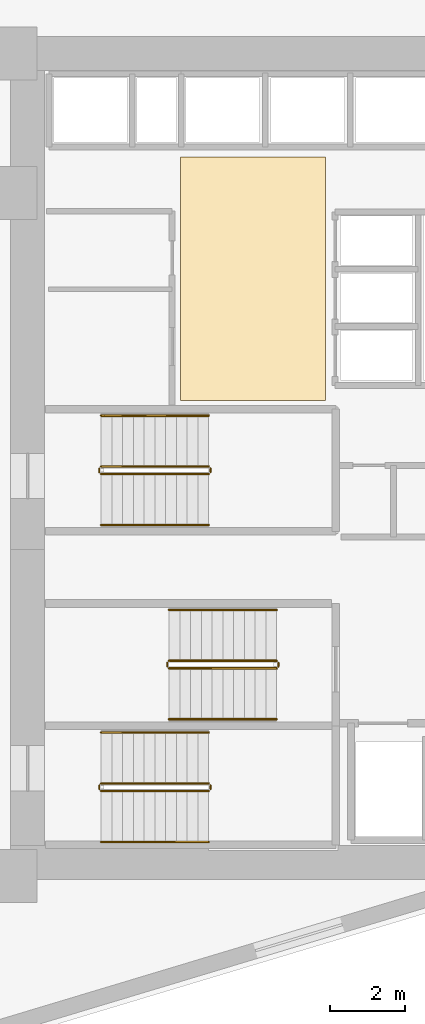
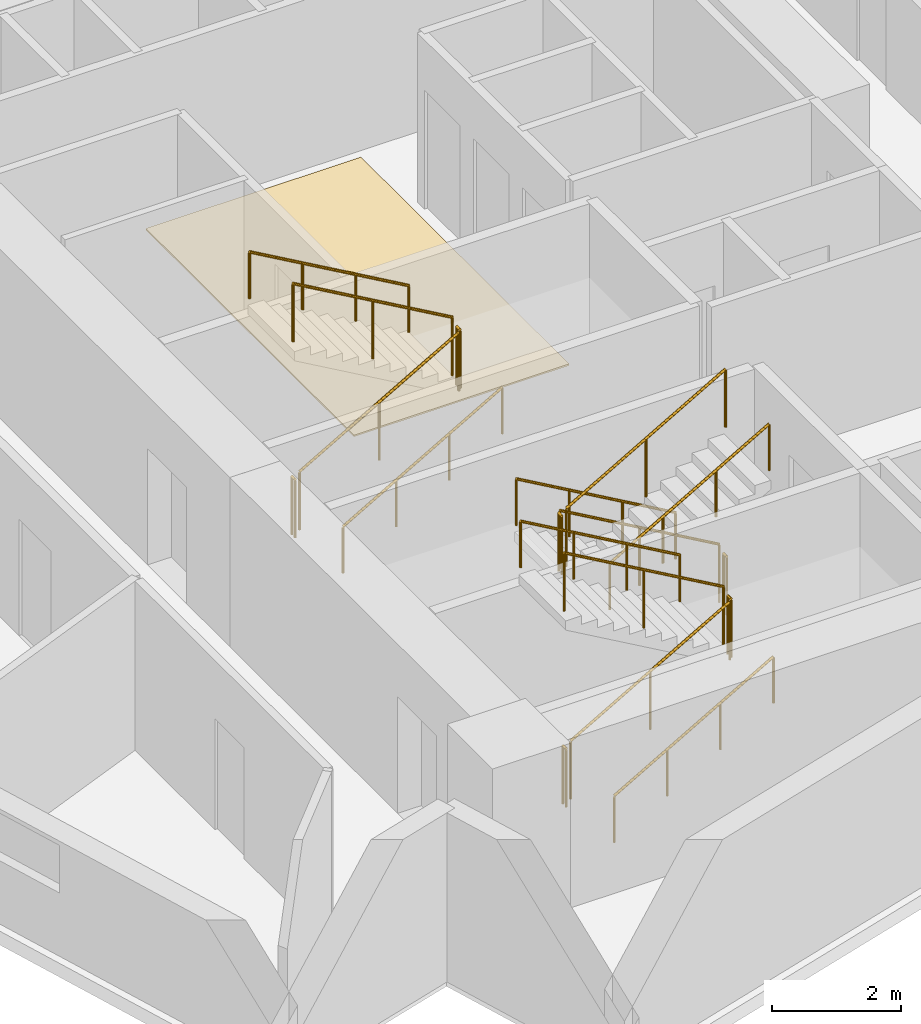
# One storey, part 13 of 14: 18 railings, 1 covering.
"""IFC4 building model written with IfcOpenShell, lengths in metres."""

import ifcopenshell
import ifcopenshell.guid

model = None  # the IFC model being written
_history = None  # IfcOwnerHistory: only IFC2X3 demands one
_inside = {}  # id of a spatial element -> (the spatial element, [elements in it])
_under = {}  # id of a project, library or spatial element -> (it, [spatial elements below it])
_declared = {}  # id of a project -> (the project, [libraries it declares])
_typed = {}  # id of a type object -> (the type object, [elements of that type])
_made_of = {}  # id of a material, layer set ... -> (it, [elements and type objects made of it])


def new_model(schema):
    """Start an empty IFC model of exactly this schema.

    Asked for "IFC4X3", IfcOpenShell would pick the latest addendum, in which some entities
    have other attributes; the version numbers below select the first issue.
    IFC2X3 requires an IfcOwnerHistory on every rooted entity: one is made here for all.
    """
    global model, _history
    if schema == "IFC4X3":
        model = ifcopenshell.file(schema_version=(4, 3, 0, 0))
    else:
        model = ifcopenshell.file(schema=schema)
    _inside.clear()
    _under.clear()
    _declared.clear()
    _typed.clear()
    _made_of.clear()
    _history = None
    if model.schema == "IFC2X3":
        org = make("IfcOrganization", Name="unknown")
        user = make(
            "IfcPersonAndOrganization",
            ThePerson=make("IfcPerson", FamilyName="unknown"),
            TheOrganization=org,
        )
        app = make(
            "IfcApplication",
            ApplicationDeveloper=org,
            Version="unknown",
            ApplicationFullName="unknown",
            ApplicationIdentifier="unknown",
        )
        _history = make(
            "IfcOwnerHistory",
            OwningUser=user,
            OwningApplication=app,
            ChangeAction="ADDED",
            CreationDate=0,
        )
    return model


def make(cls, **values):
    """One entity of the class cls with the attributes given. An attribute that is None is left unset."""
    return model.create_entity(
        cls, **{name: value for name, value in values.items() if value is not None}
    )


def rooted(cls, **values):
    """An entity with a GlobalId (a new one), such as an element, a storey or a relation."""
    return make(cls, GlobalId=ifcopenshell.guid.new(), OwnerHistory=_history, **values)


def si_unit(unit_type, name, prefix=None):
    """IfcSIUnit, for example si_unit("LENGTHUNIT", "METRE", prefix="MILLI")."""
    return make("IfcSIUnit", UnitType=unit_type, Prefix=prefix, Name=name)


def assignment(units):
    """IfcUnitAssignment: the units of a project."""
    return None if units is None else make("IfcUnitAssignment", Units=units)


def point(xyz):
    """IfcCartesianPoint."""
    return None if xyz is None else make("IfcCartesianPoint", Coordinates=xyz)


def direction(xyz):
    """IfcDirection."""
    return None if xyz is None else make("IfcDirection", DirectionRatios=xyz)


def frame(location, z_axis=None, x_axis=None):
    """IfcAxis2Placement3D, a coordinate frame: its origin and axes. An axis left out is left unset."""
    return make(
        "IfcAxis2Placement3D",
        Location=point(location),
        Axis=direction(z_axis),
        RefDirection=direction(x_axis),
    )


def frame_2d(location, x_axis=None):
    """IfcAxis2Placement2D, a coordinate frame in the plane: its origin and x axis."""
    return make(
        "IfcAxis2Placement2D", Location=point(location), RefDirection=direction(x_axis)
    )


def origin():
    """The frame at (0, 0, 0) with its axes left unset."""
    return frame((0.0, 0.0, 0.0))


def origin_2d():
    """The frame at (0, 0) in the plane with its x axis left unset."""
    return frame_2d((0.0, 0.0))


def place(relative_to, where):
    """IfcLocalPlacement: puts the frame where relative to a parent placement (None: the world)."""
    return make(
        "IfcLocalPlacement", PlacementRelTo=relative_to, RelativePlacement=where
    )


def context(
    kind, dimensions, precision=None, world=None, true_north=None, identifier=None
):
    """IfcGeometricRepresentationContext, for example the 3D "Model" context."""
    return make(
        "IfcGeometricRepresentationContext",
        ContextIdentifier=identifier,
        ContextType=kind,
        CoordinateSpaceDimension=dimensions,
        Precision=precision,
        WorldCoordinateSystem=world,
        TrueNorth=true_north,
    )


def subcontext(parent, identifier, kind, view, scale=None):
    """IfcGeometricRepresentationSubContext, for example "Body" below "Model"."""
    return make(
        "IfcGeometricRepresentationSubContext",
        ContextIdentifier=identifier,
        ContextType=kind,
        ParentContext=parent,
        TargetScale=scale,
        TargetView=view,
    )


def project(units=None, contexts=None):
    """IfcProject with its units and contexts."""
    return rooted(
        "IfcProject",
        Name="project",
        RepresentationContexts=contexts,
        UnitsInContext=assignment(units),
    )


def spatial(cls, under=None, at=None, **own):
    """A site, building, storey or space (cls), placed at a placement, below another one or the project."""
    s = rooted(cls, ObjectPlacement=at, **own)
    if under is not None:
        _under.setdefault(under.id(), (under, []))[1].append(s)
    return s


def polyline(points):
    """IfcPolyline through the points."""
    return make("IfcPolyline", Points=[point(p) for p in points])


def profile(cls, at=None, kind="AREA", **sizes):
    """A parametric profile (cls). Its sizes go by their IFC names, for example OverallWidth=200.0."""
    return make(cls, ProfileType=kind, Position=at, **sizes)


def circle(**sizes):
    """IfcCircleProfileDef."""
    return profile("IfcCircleProfileDef", **sizes)


def outline(outer, holes=None, kind="AREA"):
    """IfcArbitraryClosedProfileDef: a profile drawn as a closed curve; with holes, ...WithVoids."""
    if holes is None:
        return make("IfcArbitraryClosedProfileDef", ProfileType=kind, OuterCurve=outer)
    return make(
        "IfcArbitraryProfileDefWithVoids",
        ProfileType=kind,
        OuterCurve=outer,
        InnerCurves=holes,
    )


def extrude(swept, where, along, depth):
    """IfcExtrudedAreaSolid: the profile swept, set in the frame where, extruded along a direction by depth."""
    return make(
        "IfcExtrudedAreaSolid",
        SweptArea=swept,
        Position=where,
        ExtrudedDirection=direction(along),
        Depth=depth,
    )


def shape(context_of_items, identifier, shape_type, items):
    """IfcShapeRepresentation: the items that make up one representation, for example the "Body"."""
    return make(
        "IfcShapeRepresentation",
        ContextOfItems=context_of_items,
        RepresentationIdentifier=identifier,
        RepresentationType=shape_type,
        Items=items,
    )


def material(Name=None, Category=None):
    """IfcMaterial."""
    return make("IfcMaterial", Name=Name, Category=Category)


def layer(
    of_material, thickness, ventilated=None, Name=None, Category=None, Priority=None
):
    """IfcMaterialLayer: one layer of a wall or slab, of a material (None: an air gap)."""
    return make(
        "IfcMaterialLayer",
        Material=of_material,
        LayerThickness=thickness,
        IsVentilated=ventilated,
        Name=Name,
        Category=Category,
        Priority=Priority,
    )


def layer_set(layers, Name=None):
    """IfcMaterialLayerSet."""
    return make("IfcMaterialLayerSet", MaterialLayers=layers, LayerSetName=Name)


def made_of(thing, what):
    """Note that an element or type object is made of a material, layer set ...; save() writes the relation."""
    if what is not None:
        _made_of.setdefault(what.id(), (what, []))[1].append(thing)
    return thing


def type_object(cls, material=None, **own):
    """A type object (cls), such as IfcWallType, which elements share."""
    return made_of(rooted(cls, **own), material)


def element(
    cls,
    number,
    at=None,
    inside=None,
    cuts=None,
    type_object=None,
    material=None,
    context=None,
    identifier="Body",
    shape_type=None,
    held_by="IfcProductDefinitionShape",
    body=None,
    shapes=None,
    **own,
):
    """One element of the class cls, such as IfcWall. Its Tag is "e" and its number.

    at: its placement. inside: the storey or other place that contains it. cuts: it is an
    opening in that element (IfcRelVoidsElement). A single representation is given by context,
    identifier, shape_type and body (its items); several are given by shapes. held_by: the class
    of the entity that holds the representations. save() writes the other relations.
    """
    e = rooted(cls, Tag="e%d" % number, ObjectPlacement=at, **own)
    if body is not None:
        shapes = [shape(context, identifier, shape_type, body)]
    if shapes is not None:
        e.Representation = make(held_by, Representations=shapes)
    if inside is not None:
        _inside.setdefault(inside.id(), (inside, []))[1].append(e)
    if cuts is not None:
        rooted(
            "IfcRelVoidsElement", RelatingBuildingElement=cuts, RelatedOpeningElement=e
        )
    if type_object is not None:
        _typed.setdefault(type_object.id(), (type_object, []))[1].append(e)
    return made_of(e, material)


def aggregate(whole, parts):
    """IfcRelAggregates: a whole, such as a stair, and the parts it consists of."""
    return rooted("IfcRelAggregates", RelatingObject=whole, RelatedObjects=parts)


def save(model, path):
    """Write the relations noted so far, then the file.

    IfcRelAggregates (storeys below a building ...), IfcRelContainedInSpatialStructure (elements
    in a storey), IfcRelDefinesByType, IfcRelAssociatesMaterial and IfcRelDeclares: one each for
    every whole, place, type object, material and project.
    """
    for whole, parts in _under.values():
        aggregate(whole, parts)
    for where, things in _inside.values():
        rooted(
            "IfcRelContainedInSpatialStructure",
            RelatedElements=things,
            RelatingStructure=where,
        )
    for kind, things in _typed.values():
        rooted("IfcRelDefinesByType", RelatedObjects=things, RelatingType=kind)
    for what, things in _made_of.values():
        rooted("IfcRelAssociatesMaterial", RelatedObjects=things, RelatingMaterial=what)
    for by, libraries in _declared.values():
        rooted("IfcRelDeclares", RelatingContext=by, RelatedDefinitions=libraries)
    model.write(path)


model = new_model("IFC4")

# Units and contexts
model_context = context("Model", 3, precision=1e-05, world=origin(), true_north=direction((0.0, 1.0)))
body_context = subcontext(model_context, "Body", "Model", "MODEL_VIEW")
ifc_project = project(units=[si_unit("LENGTHUNIT", "METRE"), si_unit("AREAUNIT", "SQUARE_METRE"), si_unit("VOLUMEUNIT", "CUBIC_METRE"), si_unit("PLANEANGLEUNIT", "RADIAN"), si_unit("MASSUNIT", "GRAM", prefix="KILO")], contexts=[model_context])

# Site, building, storey
site_placement = place(None, origin())
site = spatial("IfcSite", under=ifc_project, at=site_placement, CompositionType="ELEMENT")
building_placement = place(site_placement, origin())
building = spatial("IfcBuilding", under=site, at=building_placement, Name="Narakoshi Arena Tower", CompositionType="ELEMENT")
storey_placement = place(building_placement, frame((0.0, 0.0, 161.10009765625)))
storey = spatial("IfcBuildingStorey", under=building, at=storey_placement, Name="L43", CompositionType="ELEMENT", Elevation=161.10009765625)

# Covering
ifc_material_1 = material(Name="Honed granite stone paving", Category="masonry")
ifc_layer = layer(ifc_material_1, 0.030029296875)
ifc_layer_set = layer_set([ifc_layer], Name="Honed granite stone paving")
covering_type = type_object("IfcCoveringType", Name="COV-FLR-ST30", PredefinedType="FLOORING", material=ifc_layer_set)
covering_placement = place(storey_placement, origin())
element("IfcCovering", 1, at=covering_placement, inside=storey, type_object=covering_type, Name="L43 Lift Lobby Granite Flooring", PredefinedType="FLOORING", context=body_context, shape_type="SweptSolid", body=[
    extrude(outline(polyline([(76.5, 47.300048828125), (80.35009765625, 47.300048828125), (80.35009765625, 53.75), (76.5, 53.75), (76.5, 47.300048828125)])), origin(), (0.0, 0.0, 1.0), 0.02978515625),
])

# Railings
ifc_material_2 = material(Name="Clear low-iron laminated structural glass", Category="glass")
railing_type_1 = type_object("IfcRailingType", Name="RL-BAL-1100", PredefinedType="BALUSTRADE", material=ifc_material_2)
railing_1_placement = place(storey_placement, frame((74.39990234375, 36.949951171875, 0.16357421875)))
element("IfcRailing", 2, at=railing_1_placement, inside=storey, type_object=railing_type_1, Name="L43 ST1 stair guard 1", PredefinedType="BALUSTRADE", context=body_context, shape_type="SweptSolid", body=[
    extrude(circle(Radius=0.02392578125, at=origin_2d()), frame((0.0, 0.0, 1.09619140625), z_axis=(0.867244780686, 0.0, 0.497882004468), x_axis=(0.0, 1.0, 0.0)), (0.0, 0.0, 1.0), 3.286376953125),
    extrude(circle(Radius=0.02099609375, at=origin_2d()), origin(), (0.0, 0.0, 1.0), 1.072021484375),
    extrude(circle(Radius=0.02099609375, at=origin_2d()), frame((1.425048828125, 0.0, 0.818115234375)), (0.0, 0.0, 1.0), 1.072021484375),
    extrude(circle(Radius=0.02099609375, at=origin_2d()), frame((2.85009765625, 0.0, 1.63623046875)), (0.0, 0.0, 1.0), 1.072021484375),
])
railing_2_placement = place(storey_placement, frame((77.300048828125, 37.0, 1.7998046875)))
element("IfcRailing", 3, at=railing_2_placement, inside=storey, type_object=railing_type_1, Name="L43 ST1 stair guard 2", PredefinedType="BALUSTRADE", context=body_context, shape_type="SweptSolid", body=[
    extrude(circle(Radius=0.02392578125, at=origin_2d()), frame((0.0, 0.0, 1.09619140625), z_axis=(0.0, 1.0, 0.0), x_axis=(-1.0, 0.0, 0.0)), (0.0, 0.0, 1.0), 0.10009765625),
    extrude(circle(Radius=0.02099609375, at=origin_2d()), origin(), (0.0, 0.0, 1.0), 1.072021484375),
    extrude(circle(Radius=0.02099609375, at=origin_2d()), frame((0.0, 0.10009765625, 0.0)), (0.0, 0.0, 1.0), 1.072021484375),
])
railing_3_placement = place(storey_placement, frame((77.25, 37.14990234375, 1.963623046875)))
element("IfcRailing", 4, at=railing_3_placement, inside=storey, type_object=railing_type_1, Name="L43 ST1 stair guard 3", PredefinedType="BALUSTRADE", context=body_context, shape_type="SweptSolid", body=[
    extrude(circle(Radius=0.02392578125, at=origin_2d()), frame((0.0, 0.0, 1.09619140625), z_axis=(-0.867244780686, 0.0, 0.497882004468), x_axis=(0.0, -1.0, 0.0)), (0.0, 0.0, 1.0), 3.286376953125),
    extrude(circle(Radius=0.02099609375, at=origin_2d()), origin(), (0.0, 0.0, 1.0), 1.072021484375),
    extrude(circle(Radius=0.02099609375, at=origin_2d()), frame((-1.425048828125, 0.0, 0.818115234375)), (0.0, 0.0, 1.0), 1.072021484375),
    extrude(circle(Radius=0.02099609375, at=origin_2d()), frame((-2.85009765625, 0.0, 1.63623046875)), (0.0, 0.0, 1.0), 1.072021484375),
])
railing_4_placement = place(storey_placement, frame((74.35009765625, 37.0, 0.0)))
element("IfcRailing", 5, at=railing_4_placement, inside=storey, type_object=railing_type_1, Name="L43 ST1 stair guard 4", PredefinedType="BALUSTRADE", context=body_context, shape_type="SweptSolid", body=[
    extrude(circle(Radius=0.02392578125, at=origin_2d()), frame((0.0, 0.0, 1.09619140625), z_axis=(0.0, 1.0, 0.0), x_axis=(-1.0, 0.0, 0.0)), (0.0, 0.0, 1.0), 0.10009765625),
    extrude(circle(Radius=0.02099609375, at=origin_2d()), origin(), (0.0, 0.0, 1.0), 1.072021484375),
    extrude(circle(Radius=0.02099609375, at=origin_2d()), frame((0.0, 0.10009765625, 0.0)), (0.0, 0.0, 1.0), 1.072021484375),
])
railing_5_placement = place(storey_placement, frame((79.050048828125, 40.39990234375, 0.16357421875)))
element("IfcRailing", 6, at=railing_5_placement, inside=storey, type_object=railing_type_1, Name="L43 ST2 stair guard 1", PredefinedType="BALUSTRADE", context=body_context, shape_type="SweptSolid", body=[
    extrude(circle(Radius=0.02392578125, at=origin_2d()), frame((0.0, 0.0, 1.09619140625), z_axis=(-0.867244780686, 0.0, 0.497882004468), x_axis=(0.0, -1.0, 0.0)), (0.0, 0.0, 1.0), 3.286376953125),
    extrude(circle(Radius=0.02099609375, at=origin_2d()), origin(), (0.0, 0.0, 1.0), 1.072021484375),
    extrude(circle(Radius=0.02099609375, at=origin_2d()), frame((-1.425048828125, 0.0, 0.818115234375)), (0.0, 0.0, 1.0), 1.072021484375),
    extrude(circle(Radius=0.02099609375, at=origin_2d()), frame((-2.85009765625, 0.0, 1.63623046875)), (0.0, 0.0, 1.0), 1.072021484375),
])
railing_6_placement = place(storey_placement, frame((76.14990234375, 40.35009765625, 1.7998046875)))
element("IfcRailing", 7, at=railing_6_placement, inside=storey, type_object=railing_type_1, Name="L43 ST2 stair guard 2", PredefinedType="BALUSTRADE", context=body_context, shape_type="SweptSolid", body=[
    extrude(circle(Radius=0.02392578125, at=origin_2d()), frame((0.0, 0.0, 1.09619140625), z_axis=(0.0, -1.0, 0.0), x_axis=(1.0, 0.0, 0.0)), (0.0, 0.0, 1.0), 0.10009765625),
    extrude(circle(Radius=0.02099609375, at=origin_2d()), origin(), (0.0, 0.0, 1.0), 1.072021484375),
    extrude(circle(Radius=0.02099609375, at=origin_2d()), frame((0.0, -0.10009765625, 0.0)), (0.0, 0.0, 1.0), 1.072021484375),
])
railing_7_placement = place(storey_placement, frame((76.199951171875, 40.199951171875, 1.963623046875)))
element("IfcRailing", 8, at=railing_7_placement, inside=storey, type_object=railing_type_1, Name="L43 ST2 stair guard 3", PredefinedType="BALUSTRADE", context=body_context, shape_type="SweptSolid", body=[
    extrude(circle(Radius=0.02392578125, at=origin_2d()), frame((0.0, 0.0, 1.09619140625), z_axis=(0.867244780686, 0.0, 0.497882004468), x_axis=(0.0, 1.0, 0.0)), (0.0, 0.0, 1.0), 3.286376953125),
    extrude(circle(Radius=0.02099609375, at=origin_2d()), origin(), (0.0, 0.0, 1.0), 1.072021484375),
    extrude(circle(Radius=0.02099609375, at=origin_2d()), frame((1.425048828125, 0.0, 0.818115234375)), (0.0, 0.0, 1.0), 1.072021484375),
    extrude(circle(Radius=0.02099609375, at=origin_2d()), frame((2.85009765625, 0.0, 1.63623046875)), (0.0, 0.0, 1.0), 1.072021484375),
])
railing_8_placement = place(storey_placement, frame((79.10009765625, 40.35009765625, 0.0)))
element("IfcRailing", 9, at=railing_8_placement, inside=storey, type_object=railing_type_1, Name="L43 ST2 stair guard 4", PredefinedType="BALUSTRADE", context=body_context, shape_type="SweptSolid", body=[
    extrude(circle(Radius=0.02392578125, at=origin_2d()), frame((0.0, 0.0, 1.09619140625), z_axis=(0.0, -1.0, 0.0), x_axis=(1.0, 0.0, 0.0)), (0.0, 0.0, 1.0), 0.10009765625),
    extrude(circle(Radius=0.02099609375, at=origin_2d()), origin(), (0.0, 0.0, 1.0), 1.072021484375),
    extrude(circle(Radius=0.02099609375, at=origin_2d()), frame((0.0, -0.10009765625, 0.0)), (0.0, 0.0, 1.0), 1.072021484375),
])
railing_9_placement = place(storey_placement, frame((74.39990234375, 45.35009765625, 0.16357421875)))
element("IfcRailing", 10, at=railing_9_placement, inside=storey, type_object=railing_type_1, Name="L43 ST3 stair guard 1", PredefinedType="BALUSTRADE", context=body_context, shape_type="SweptSolid", body=[
    extrude(circle(Radius=0.02392578125, at=origin_2d()), frame((0.0, 0.0, 1.09619140625), z_axis=(0.867244780686, 0.0, 0.497882004468), x_axis=(0.0, 1.0, 0.0)), (0.0, 0.0, 1.0), 3.286376953125),
    extrude(circle(Radius=0.02099609375, at=origin_2d()), origin(), (0.0, 0.0, 1.0), 1.072021484375),
    extrude(circle(Radius=0.02099609375, at=origin_2d()), frame((1.425048828125, 0.0, 0.818115234375)), (0.0, 0.0, 1.0), 1.072021484375),
    extrude(circle(Radius=0.02099609375, at=origin_2d()), frame((2.85009765625, 0.0, 1.63623046875)), (0.0, 0.0, 1.0), 1.072021484375),
])
railing_10_placement = place(storey_placement, frame((77.300048828125, 45.39990234375, 1.7998046875)))
element("IfcRailing", 11, at=railing_10_placement, inside=storey, type_object=railing_type_1, Name="L43 ST3 stair guard 2", PredefinedType="BALUSTRADE", context=body_context, shape_type="SweptSolid", body=[
    extrude(circle(Radius=0.02392578125, at=origin_2d()), frame((0.0, 0.0, 1.09619140625), z_axis=(0.0, 1.0, 0.0), x_axis=(-1.0, 0.0, 0.0)), (0.0, 0.0, 1.0), 0.10009765625),
    extrude(circle(Radius=0.02099609375, at=origin_2d()), origin(), (0.0, 0.0, 1.0), 1.072021484375),
    extrude(circle(Radius=0.02099609375, at=origin_2d()), frame((0.0, 0.10009765625, 0.0)), (0.0, 0.0, 1.0), 1.072021484375),
])
railing_11_placement = place(storey_placement, frame((77.25, 45.550048828125, 1.963623046875)))
element("IfcRailing", 12, at=railing_11_placement, inside=storey, type_object=railing_type_1, Name="L43 ST3 stair guard 3", PredefinedType="BALUSTRADE", context=body_context, shape_type="SweptSolid", body=[
    extrude(circle(Radius=0.02392578125, at=origin_2d()), frame((0.0, 0.0, 1.09619140625), z_axis=(-0.867244780686, 0.0, 0.497882004468), x_axis=(0.0, -1.0, 0.0)), (0.0, 0.0, 1.0), 3.286376953125),
    extrude(circle(Radius=0.02099609375, at=origin_2d()), origin(), (0.0, 0.0, 1.0), 1.072021484375),
    extrude(circle(Radius=0.02099609375, at=origin_2d()), frame((-1.425048828125, 0.0, 0.818115234375)), (0.0, 0.0, 1.0), 1.072021484375),
    extrude(circle(Radius=0.02099609375, at=origin_2d()), frame((-2.85009765625, 0.0, 1.63623046875)), (0.0, 0.0, 1.0), 1.072021484375),
])
railing_12_placement = place(storey_placement, frame((74.35009765625, 45.39990234375, 0.0)))
element("IfcRailing", 13, at=railing_12_placement, inside=storey, type_object=railing_type_1, Name="L43 ST3 stair guard 4", PredefinedType="BALUSTRADE", context=body_context, shape_type="SweptSolid", body=[
    extrude(circle(Radius=0.02392578125, at=origin_2d()), frame((0.0, 0.0, 1.09619140625), z_axis=(0.0, 1.0, 0.0), x_axis=(-1.0, 0.0, 0.0)), (0.0, 0.0, 1.0), 0.10009765625),
    extrude(circle(Radius=0.02099609375, at=origin_2d()), origin(), (0.0, 0.0, 1.0), 1.072021484375),
    extrude(circle(Radius=0.02099609375, at=origin_2d()), frame((0.0, 0.10009765625, 0.0)), (0.0, 0.0, 1.0), 1.072021484375),
])
ifc_material_3 = material(Name="Brushed bronze stainless steel", Category="steel")
railing_type_2 = type_object("IfcRailingType", Name="RL-HND-900", PredefinedType="HANDRAIL", material=ifc_material_3)
railing_13_placement = place(storey_placement, frame((74.39990234375, 35.60009765625, 0.16357421875)))
element("IfcRailing", 14, at=railing_13_placement, inside=storey, type_object=railing_type_2, Name="L43 ST1 stair handrail 1", PredefinedType="HANDRAIL", context=body_context, shape_type="SweptSolid", body=[
    extrude(circle(Radius=0.02392578125, at=origin_2d()), frame((0.0, 0.0, 0.8759765625), z_axis=(0.867244780686, 0.0, 0.497882004468), x_axis=(0.0, 1.0, 0.0)), (0.0, 0.0, 1.0), 3.286376953125),
    extrude(circle(Radius=0.02099609375, at=origin_2d()), origin(), (0.0, 0.0, 1.0), 0.851806640625),
    extrude(circle(Radius=0.02099609375, at=origin_2d()), frame((0.949951171875, 0.0, 0.54541015625)), (0.0, 0.0, 1.0), 0.851806640625),
    extrude(circle(Radius=0.02099609375, at=origin_2d()), frame((1.900146484375, 0.0, 1.0908203125)), (0.0, 0.0, 1.0), 0.851806640625),
    extrude(circle(Radius=0.02099609375, at=origin_2d()), frame((2.85009765625, 0.0, 1.63623046875)), (0.0, 0.0, 1.0), 0.851806640625),
])
for number, where, name in (
    (15, (77.25, 38.5, 1.963623046875), "L43 ST1 stair handrail 2"),
    (16, (79.050048828125, 41.75, 0.16357421875), "L43 ST2 stair handrail 1"),
):
    element("IfcRailing", number, at=place(storey_placement, frame(where)), inside=storey, type_object=railing_type_2, Name=name, PredefinedType="HANDRAIL", context=body_context, shape_type="SweptSolid", body=[
        extrude(circle(Radius=0.02392578125, at=origin_2d()), frame((0.0, 0.0, 0.8759765625), z_axis=(-0.867244780686, 0.0, 0.497882004468), x_axis=(0.0, -1.0, 0.0)), (0.0, 0.0, 1.0), 3.286376953125),
        extrude(circle(Radius=0.02099609375, at=origin_2d()), origin(), (0.0, 0.0, 1.0), 0.851806640625),
        extrude(circle(Radius=0.02099609375, at=origin_2d()), frame((-0.949951171875, 0.0, 0.54541015625)), (0.0, 0.0, 1.0), 0.851806640625),
        extrude(circle(Radius=0.02099609375, at=origin_2d()), frame((-1.900146484375, 0.0, 1.0908203125)), (0.0, 0.0, 1.0), 0.851806640625),
        extrude(circle(Radius=0.02099609375, at=origin_2d()), frame((-2.85009765625, 0.0, 1.63623046875)), (0.0, 0.0, 1.0), 0.851806640625),
    ])
for number, where, name in (
    (17, (76.199951171875, 38.85009765625, 1.963623046875), "L43 ST2 stair handrail 2"),
    (18, (74.39990234375, 44.0, 0.16357421875), "L43 ST3 stair handrail 1"),
):
    element("IfcRailing", number, at=place(storey_placement, frame(where)), inside=storey, type_object=railing_type_2, Name=name, PredefinedType="HANDRAIL", context=body_context, shape_type="SweptSolid", body=[
        extrude(circle(Radius=0.02392578125, at=origin_2d()), frame((0.0, 0.0, 0.8759765625), z_axis=(0.867244780686, 0.0, 0.497882004468), x_axis=(0.0, 1.0, 0.0)), (0.0, 0.0, 1.0), 3.286376953125),
        extrude(circle(Radius=0.02099609375, at=origin_2d()), origin(), (0.0, 0.0, 1.0), 0.851806640625),
        extrude(circle(Radius=0.02099609375, at=origin_2d()), frame((0.949951171875, 0.0, 0.54541015625)), (0.0, 0.0, 1.0), 0.851806640625),
        extrude(circle(Radius=0.02099609375, at=origin_2d()), frame((1.900146484375, 0.0, 1.0908203125)), (0.0, 0.0, 1.0), 0.851806640625),
        extrude(circle(Radius=0.02099609375, at=origin_2d()), frame((2.85009765625, 0.0, 1.63623046875)), (0.0, 0.0, 1.0), 0.851806640625),
    ])
railing_14_placement = place(storey_placement, frame((77.25, 46.89990234375, 1.963623046875)))
element("IfcRailing", 19, at=railing_14_placement, inside=storey, type_object=railing_type_2, Name="L43 ST3 stair handrail 2", PredefinedType="HANDRAIL", context=body_context, shape_type="SweptSolid", body=[
    extrude(circle(Radius=0.02392578125, at=origin_2d()), frame((0.0, 0.0, 0.8759765625), z_axis=(-0.867244780686, 0.0, 0.497882004468), x_axis=(0.0, -1.0, 0.0)), (0.0, 0.0, 1.0), 3.286376953125),
    extrude(circle(Radius=0.02099609375, at=origin_2d()), origin(), (0.0, 0.0, 1.0), 0.851806640625),
    extrude(circle(Radius=0.02099609375, at=origin_2d()), frame((-0.949951171875, 0.0, 0.54541015625)), (0.0, 0.0, 1.0), 0.851806640625),
    extrude(circle(Radius=0.02099609375, at=origin_2d()), frame((-1.900146484375, 0.0, 1.0908203125)), (0.0, 0.0, 1.0), 0.851806640625),
    extrude(circle(Radius=0.02099609375, at=origin_2d()), frame((-2.85009765625, 0.0, 1.63623046875)), (0.0, 0.0, 1.0), 0.851806640625),
])

save(model, "model.ifc")
